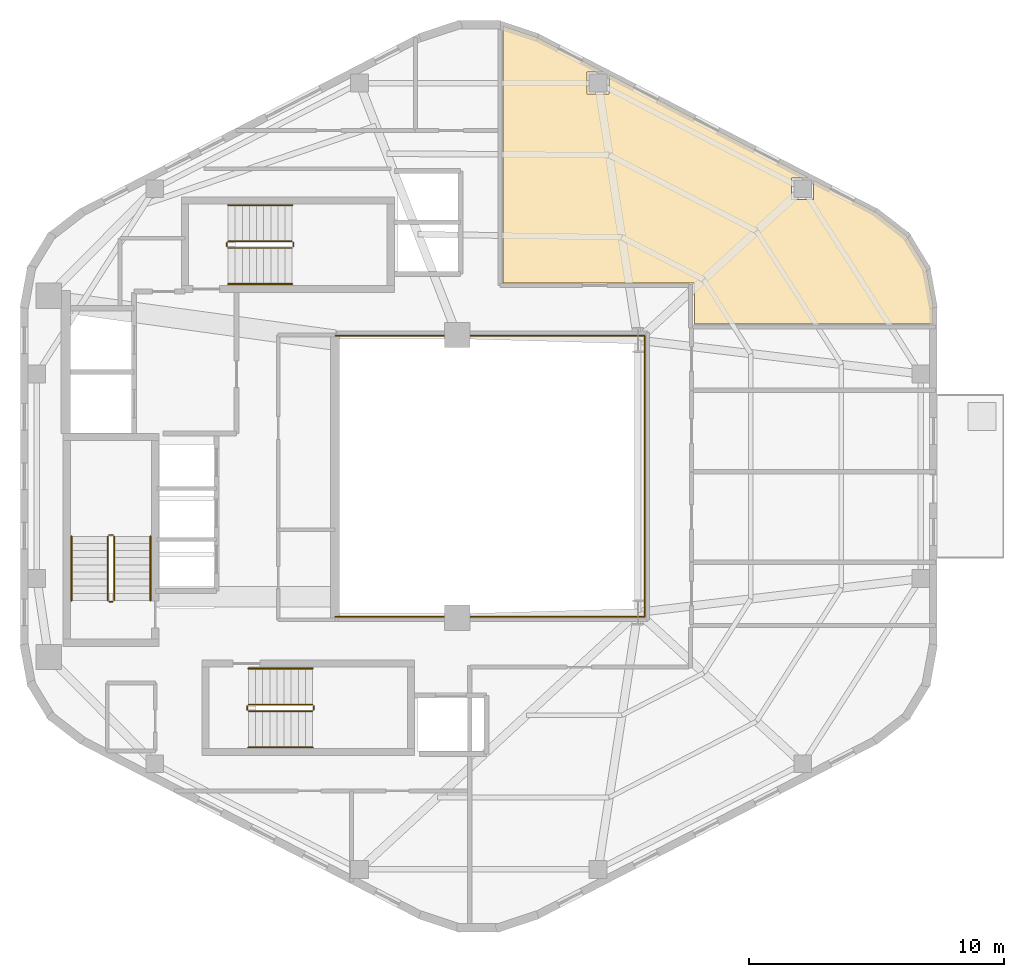
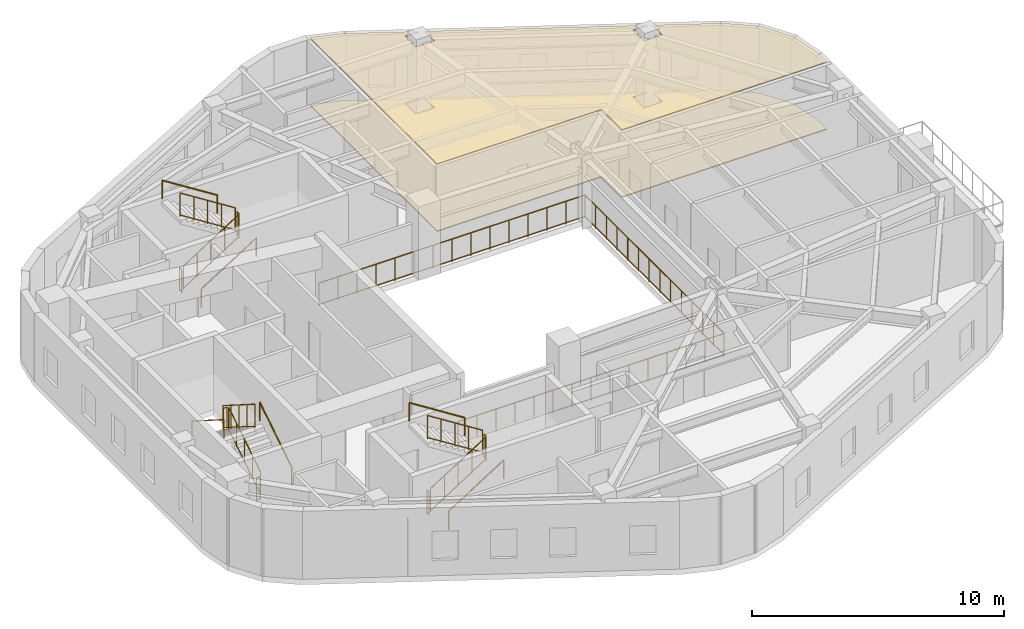
# One storey, part 6 of 7: 19 railings, 2 coverings.
"""IFC4 building model written with IfcOpenShell, lengths in metres."""

from ifc_helpers import new_model, si_unit, direction, frame, origin, origin_2d, place, context, subcontext, project, spatial, polyline, circle, outline, extrude, material, layer, layer_set, type_object, element, save


model = new_model("IFC4")

# Units and contexts
model_context = context("Model", 3, precision=1e-05, world=origin(), true_north=direction((0.0, 1.0)))
body_context = subcontext(model_context, "Body", "Model", "MODEL_VIEW")
ifc_project = project(units=[si_unit("LENGTHUNIT", "METRE"), si_unit("AREAUNIT", "SQUARE_METRE"), si_unit("VOLUMEUNIT", "CUBIC_METRE"), si_unit("PLANEANGLEUNIT", "RADIAN"), si_unit("MASSUNIT", "GRAM", prefix="KILO"), si_unit("THERMODYNAMICTEMPERATUREUNIT", "KELVIN"), si_unit("POWERUNIT", "WATT")], contexts=[model_context])

# Site, building, storey
site_placement = place(None, origin())
site = spatial("IfcSite", under=ifc_project, at=site_placement, CompositionType="ELEMENT")
building_placement = place(site_placement, origin())
building = spatial("IfcBuilding", under=site, at=building_placement, Name="Skarre Station Tower", CompositionType="ELEMENT")
storey_placement = place(building_placement, frame((0.0, 0.0, 256.10009765625)))
storey = spatial("IfcBuildingStorey", under=building, at=storey_placement, Name="L70", CompositionType="ELEMENT", Elevation=256.10009765625)

# Railing
ifc_material_1 = material(Name="Bronze Anodized Steel & Laminated Glass Balustrade", Category="steel")
railing_type_1 = type_object("IfcRailingType", Name="Atrium Void & Mezzanine Guard Balustrade 1120", PredefinedType="GUARDRAIL", material=ifc_material_1)
railing_1_placement = place(storey_placement, frame((27.550048828125, 18.47998046875, 0.0)))
element("IfcRailing", 1, at=railing_1_placement, inside=storey, type_object=railing_type_1, Name="L70 Atrium Void Guard Balustrade", PredefinedType="GUARDRAIL", context=body_context, shape_type="SweptSolid", body=[
    extrude(circle(Radius=0.02392578125, at=origin_2d()), frame((0.0, 0.0, 1.09619140625), z_axis=(1.0, 0.0, 0.0), x_axis=(0.0, 1.0, 0.0)), (0.0, 0.0, 1.0), 12.169921875),
    extrude(circle(Radius=0.02099609375, at=origin_2d()), frame((0.0, 0.0, 0.06005859375), z_axis=(1.0, 0.0, 0.0), x_axis=(0.0, 1.0, 0.0)), (0.0, 0.0, 1.0), 12.169921875),
    extrude(circle(Radius=0.02392578125, at=origin_2d()), frame((12.169921875, 0.0, 1.09619140625), z_axis=(0.0, 1.0, 0.0), x_axis=(-1.0, 0.0, 0.0)), (0.0, 0.0, 1.0), 11.0400390625),
    extrude(circle(Radius=0.02099609375, at=origin_2d()), frame((12.169921875, 0.0, 0.06005859375), z_axis=(0.0, 1.0, 0.0), x_axis=(-1.0, 0.0, 0.0)), (0.0, 0.0, 1.0), 11.0400390625),
    extrude(circle(Radius=0.02392578125, at=origin_2d()), frame((12.169921875, 11.0400390625, 1.09619140625), z_axis=(-1.0, 0.0, 0.0), x_axis=(0.0, -1.0, 0.0)), (0.0, 0.0, 1.0), 12.169921875),
    extrude(circle(Radius=0.02099609375, at=origin_2d()), frame((12.169921875, 11.0400390625, 0.06005859375), z_axis=(-1.0, 0.0, 0.0), x_axis=(0.0, -1.0, 0.0)), (0.0, 0.0, 1.0), 12.169921875),
    extrude(circle(Radius=0.02099609375, at=origin_2d()), origin(), (0.0, 0.0, 1.0), 1.072021484375),
    extrude(circle(Radius=0.02099609375, at=origin_2d()), frame((0.869384765625, 0.0, 0.0)), (0.0, 0.0, 1.0), 1.072021484375),
    extrude(circle(Radius=0.02099609375, at=origin_2d()), frame((1.738525390625, 0.0, 0.0)), (0.0, 0.0, 1.0), 1.072021484375),
    extrude(circle(Radius=0.02099609375, at=origin_2d()), frame((2.60791015625, 0.0, 0.0)), (0.0, 0.0, 1.0), 1.072021484375),
    extrude(circle(Radius=0.02099609375, at=origin_2d()), frame((3.47705078125, 0.0, 0.0)), (0.0, 0.0, 1.0), 1.072021484375),
    extrude(circle(Radius=0.02099609375, at=origin_2d()), frame((4.346435546875, 0.0, 0.0)), (0.0, 0.0, 1.0), 1.072021484375),
    extrude(circle(Radius=0.02099609375, at=origin_2d()), frame((5.215576171875, 0.0, 0.0)), (0.0, 0.0, 1.0), 1.072021484375),
    extrude(circle(Radius=0.02099609375, at=origin_2d()), frame((6.0849609375, 0.0, 0.0)), (0.0, 0.0, 1.0), 1.072021484375),
    extrude(circle(Radius=0.02099609375, at=origin_2d()), frame((6.954345703125, 0.0, 0.0)), (0.0, 0.0, 1.0), 1.072021484375),
    extrude(circle(Radius=0.02099609375, at=origin_2d()), frame((7.823486328125, 0.0, 0.0)), (0.0, 0.0, 1.0), 1.072021484375),
    extrude(circle(Radius=0.02099609375, at=origin_2d()), frame((8.69287109375, 0.0, 0.0)), (0.0, 0.0, 1.0), 1.072021484375),
    extrude(circle(Radius=0.02099609375, at=origin_2d()), frame((9.56201171875, 0.0, 0.0)), (0.0, 0.0, 1.0), 1.072021484375),
    extrude(circle(Radius=0.02099609375, at=origin_2d()), frame((10.431396484375, 0.0, 0.0)), (0.0, 0.0, 1.0), 1.072021484375),
    extrude(circle(Radius=0.02099609375, at=origin_2d()), frame((11.300537109375, 0.0, 0.0)), (0.0, 0.0, 1.0), 1.072021484375),
    extrude(circle(Radius=0.02099609375, at=origin_2d()), frame((12.169921875, 0.0, 0.0)), (0.0, 0.0, 1.0), 1.072021484375),
    extrude(circle(Radius=0.02099609375, at=origin_2d()), frame((12.169921875, 0.84912109375, 0.0)), (0.0, 0.0, 1.0), 1.072021484375),
    extrude(circle(Radius=0.02099609375, at=origin_2d()), frame((12.169921875, 1.698486328125, 0.0)), (0.0, 0.0, 1.0), 1.072021484375),
    extrude(circle(Radius=0.02099609375, at=origin_2d()), frame((12.169921875, 2.547607421875, 0.0)), (0.0, 0.0, 1.0), 1.072021484375),
    extrude(circle(Radius=0.02099609375, at=origin_2d()), frame((12.169921875, 3.39697265625, 0.0)), (0.0, 0.0, 1.0), 1.072021484375),
    extrude(circle(Radius=0.02099609375, at=origin_2d()), frame((12.169921875, 4.24609375, 0.0)), (0.0, 0.0, 1.0), 1.072021484375),
    extrude(circle(Radius=0.02099609375, at=origin_2d()), frame((12.169921875, 5.095458984375, 0.0)), (0.0, 0.0, 1.0), 1.072021484375),
    extrude(circle(Radius=0.02099609375, at=origin_2d()), frame((12.169921875, 5.944580078125, 0.0)), (0.0, 0.0, 1.0), 1.072021484375),
    extrude(circle(Radius=0.02099609375, at=origin_2d()), frame((12.169921875, 6.7939453125, 0.0)), (0.0, 0.0, 1.0), 1.072021484375),
    extrude(circle(Radius=0.02099609375, at=origin_2d()), frame((12.169921875, 7.64306640625, 0.0)), (0.0, 0.0, 1.0), 1.072021484375),
    extrude(circle(Radius=0.02099609375, at=origin_2d()), frame((12.169921875, 8.492431640625, 0.0)), (0.0, 0.0, 1.0), 1.072021484375),
    extrude(circle(Radius=0.02099609375, at=origin_2d()), frame((12.169921875, 9.341552734375, 0.0)), (0.0, 0.0, 1.0), 1.072021484375),
    extrude(circle(Radius=0.02099609375, at=origin_2d()), frame((12.169921875, 10.19091796875, 0.0)), (0.0, 0.0, 1.0), 1.072021484375),
    extrude(circle(Radius=0.02099609375, at=origin_2d()), frame((12.169921875, 11.0400390625, 0.0)), (0.0, 0.0, 1.0), 1.072021484375),
    extrude(circle(Radius=0.02099609375, at=origin_2d()), frame((11.300537109375, 11.0400390625, 0.0)), (0.0, 0.0, 1.0), 1.072021484375),
    extrude(circle(Radius=0.02099609375, at=origin_2d()), frame((10.431396484375, 11.0400390625, 0.0)), (0.0, 0.0, 1.0), 1.072021484375),
    extrude(circle(Radius=0.02099609375, at=origin_2d()), frame((9.56201171875, 11.0400390625, 0.0)), (0.0, 0.0, 1.0), 1.072021484375),
    extrude(circle(Radius=0.02099609375, at=origin_2d()), frame((8.69287109375, 11.0400390625, 0.0)), (0.0, 0.0, 1.0), 1.072021484375),
    extrude(circle(Radius=0.02099609375, at=origin_2d()), frame((7.823486328125, 11.0400390625, 0.0)), (0.0, 0.0, 1.0), 1.072021484375),
    extrude(circle(Radius=0.02099609375, at=origin_2d()), frame((6.954345703125, 11.0400390625, 0.0)), (0.0, 0.0, 1.0), 1.072021484375),
    extrude(circle(Radius=0.02099609375, at=origin_2d()), frame((6.0849609375, 11.0400390625, 0.0)), (0.0, 0.0, 1.0), 1.072021484375),
    extrude(circle(Radius=0.02099609375, at=origin_2d()), frame((5.215576171875, 11.0400390625, 0.0)), (0.0, 0.0, 1.0), 1.072021484375),
    extrude(circle(Radius=0.02099609375, at=origin_2d()), frame((4.346435546875, 11.0400390625, 0.0)), (0.0, 0.0, 1.0), 1.072021484375),
    extrude(circle(Radius=0.02099609375, at=origin_2d()), frame((3.47705078125, 11.0400390625, 0.0)), (0.0, 0.0, 1.0), 1.072021484375),
    extrude(circle(Radius=0.02099609375, at=origin_2d()), frame((2.60791015625, 11.0400390625, 0.0)), (0.0, 0.0, 1.0), 1.072021484375),
    extrude(circle(Radius=0.02099609375, at=origin_2d()), frame((1.738525390625, 11.0400390625, 0.0)), (0.0, 0.0, 1.0), 1.072021484375),
    extrude(circle(Radius=0.02099609375, at=origin_2d()), frame((0.869384765625, 11.0400390625, 0.0)), (0.0, 0.0, 1.0), 1.072021484375),
    extrude(circle(Radius=0.02099609375, at=origin_2d()), frame((0.0, 11.0400390625, 0.0)), (0.0, 0.0, 1.0), 1.072021484375),
])

# Coverings
ifc_material_2 = material(Name="Honed Jura Limestone & Calcium-Sulfate Access Tile", Category="masonry")
ifc_layer_1 = layer(ifc_material_2, 0.050048828125, Name="Honed Jura Limestone & Calcium-Sulfate Access Tile")
ifc_layer_set_1 = layer_set([ifc_layer_1], Name="Honed Jura Limestone & Calcium-Sulfate Access Tile")
covering_type_1 = type_object("IfcCoveringType", Name="Honed Limestone & Raised Access Floor Finish 50", PredefinedType="FLOORING", material=ifc_layer_set_1)
covering_1_placement = place(storey_placement, origin())
element("IfcCovering", 2, at=covering_1_placement, inside=storey, type_object=covering_type_1, Name="L70 Limestone Access Flooring 1", PredefinedType="FLOORING", context=body_context, shape_type="SweptSolid", body=[
    extrude(outline(polyline([(41.679931640625, 31.528076171875), (41.679931640625, 31.52001953125), (41.679931640625, 29.97998046875), (51.052978515625, 29.97998046875), (51.052978515625, 30.68701171875), (50.781005859375, 32.1650390625), (50.007080078125, 33.43701171875), (48.819091796875, 34.35693359375), (46.35693359375, 35.626953125), (46.35693359375, 34.867919921875), (45.4970703125, 34.867919921875), (45.4970703125, 35.72802734375), (46.162109375, 35.72802734375), (38.319091796875, 39.777099609375), (38.319091796875, 39.01708984375), (37.458984375, 39.01708984375), (37.458984375, 39.876953125), (38.125, 39.876953125), (35.446044921875, 41.260009765625), (34.159912109375, 41.68408203125), (34.159912109375, 31.60009765625), (41.60009765625, 31.60009765625), (41.60791015625, 31.60009765625), (41.615966796875, 31.597900390625), (41.623046875, 31.596923828125), (41.631103515625, 31.593994140625), (41.637939453125, 31.591064453125), (41.64404296875, 31.5869140625), (41.65087890625, 31.58203125), (41.656982421875, 31.576904296875), (41.662109375, 31.571044921875), (41.6669921875, 31.56396484375), (41.6708984375, 31.55810546875), (41.674072265625, 31.551025390625), (41.677001953125, 31.54296875), (41.677978515625, 31.535888671875), (41.679931640625, 31.528076171875)])), origin(), (0.0, 0.0, 1.0), 0.0498046875),
])
ifc_material_3 = material(Name="Perforated Nordic Birch Veneer & Mineral Wool", Category="wood")
ifc_layer_2 = layer(ifc_material_3, 0.044921875, Name="Perforated Nordic Birch Veneer & Mineral Wool")
ifc_layer_set_2 = layer_set([ifc_layer_2], Name="Perforated Nordic Birch Veneer & Mineral Wool")
covering_type_2 = type_object("IfcCoveringType", Name="Nordic Birch Slatted Acoustic Suspended Ceiling 45", PredefinedType="CEILING", material=ifc_layer_set_2)
covering_2_placement = place(storey_placement, frame((0.0, 0.0, 3.244873046875)))
element("IfcCovering", 3, at=covering_2_placement, inside=storey, type_object=covering_type_2, Name="L70 Acoustic Birch Ceiling 1", PredefinedType="CEILING", context=body_context, shape_type="SweptSolid", body=[
    extrude(outline(polyline([(41.679931640625, 31.528076171875), (41.679931640625, 31.52001953125), (41.679931640625, 29.97998046875), (51.052978515625, 29.97998046875), (51.052978515625, 30.68701171875), (50.781005859375, 32.1650390625), (50.007080078125, 33.43701171875), (48.819091796875, 34.35693359375), (46.35693359375, 35.626953125), (46.35693359375, 34.867919921875), (45.4970703125, 34.867919921875), (45.4970703125, 35.72802734375), (46.162109375, 35.72802734375), (38.319091796875, 39.777099609375), (38.319091796875, 39.01708984375), (37.458984375, 39.01708984375), (37.458984375, 39.876953125), (38.125, 39.876953125), (35.446044921875, 41.260009765625), (34.159912109375, 41.68408203125), (34.159912109375, 31.60009765625), (41.60009765625, 31.60009765625), (41.60791015625, 31.60009765625), (41.615966796875, 31.597900390625), (41.623046875, 31.596923828125), (41.631103515625, 31.593994140625), (41.637939453125, 31.591064453125), (41.64404296875, 31.5869140625), (41.65087890625, 31.58203125), (41.656982421875, 31.576904296875), (41.662109375, 31.571044921875), (41.6669921875, 31.56396484375), (41.6708984375, 31.55810546875), (41.674072265625, 31.551025390625), (41.677001953125, 31.54296875), (41.677978515625, 31.535888671875), (41.679931640625, 31.528076171875)])), origin(), (0.0, 0.0, 1.0), 0.044921875),
])

# Railings
ifc_material_4 = material(Name="Powder-Coated Tubular Steel", Category="steel")
railing_type_2 = type_object("IfcRailingType", Name="Painted Steel Ramp & Stair Handrail 920", PredefinedType="HANDRAIL", material=ifc_material_4)
railing_2_placement = place(storey_placement, frame((20.300048828125, 19.1201171875, 0.177490234375)))
element("IfcRailing", 4, at=railing_2_placement, inside=storey, type_object=railing_type_2, Name="L70 ST-1 stair handrail 1", PredefinedType="HANDRAIL", context=body_context, shape_type="SweptSolid", body=[
    extrude(circle(Radius=0.02392578125, at=origin_2d()), frame((0.0, 0.0, 0.8759765625), z_axis=(0.0, 0.844583492756, 0.535423872987), x_axis=(-1.0, 0.0, 0.0)), (0.0, 0.0, 1.0), 2.9833984375),
    extrude(circle(Radius=0.02099609375, at=origin_2d()), origin(), (0.0, 0.0, 1.0), 0.851806640625),
    extrude(circle(Radius=0.02099609375, at=origin_2d()), frame((0.0, 2.519775390625, 1.597412109375)), (0.0, 0.0, 1.0), 0.851806640625),
])
railing_3_placement = place(storey_placement, frame((17.199951171875, 21.639892578125, 1.952392578125)))
element("IfcRailing", 5, at=railing_3_placement, inside=storey, type_object=railing_type_2, Name="L70 ST-1 stair handrail 2", PredefinedType="HANDRAIL", context=body_context, shape_type="SweptSolid", body=[
    extrude(circle(Radius=0.02392578125, at=origin_2d()), frame((0.0, 0.0, 0.8759765625), z_axis=(0.0, -0.844583492756, 0.535423872987), x_axis=(1.0, 0.0, 0.0)), (0.0, 0.0, 1.0), 2.9833984375),
    extrude(circle(Radius=0.02099609375, at=origin_2d()), origin(), (0.0, 0.0, 1.0), 0.851806640625),
    extrude(circle(Radius=0.02099609375, at=origin_2d()), frame((0.0, -2.519775390625, 1.597412109375)), (0.0, 0.0, 1.0), 0.851806640625),
])
railing_4_placement = place(storey_placement, frame((24.14990234375, 13.35009765625, 0.177490234375)))
element("IfcRailing", 6, at=railing_4_placement, inside=storey, type_object=railing_type_2, Name="L70 ST-2 stair handrail 1", PredefinedType="HANDRAIL", context=body_context, shape_type="SweptSolid", body=[
    extrude(circle(Radius=0.02392578125, at=origin_2d()), frame((0.0, 0.0, 0.8759765625), z_axis=(0.84460694969, 0.0, 0.535386869969), x_axis=(0.0, 1.0, 0.0)), (0.0, 0.0, 1.0), 2.983642578125),
    extrude(circle(Radius=0.02099609375, at=origin_2d()), origin(), (0.0, 0.0, 1.0), 0.851806640625),
    extrude(circle(Radius=0.02099609375, at=origin_2d()), frame((2.52001953125, 0.0, 1.597412109375)), (0.0, 0.0, 1.0), 0.851806640625),
])
railing_5_placement = place(storey_placement, frame((26.669921875, 16.449951171875, 1.952392578125)))
element("IfcRailing", 7, at=railing_5_placement, inside=storey, type_object=railing_type_2, Name="L70 ST-2 stair handrail 2", PredefinedType="HANDRAIL", context=body_context, shape_type="SweptSolid", body=[
    extrude(circle(Radius=0.02392578125, at=origin_2d()), frame((0.0, 0.0, 0.8759765625), z_axis=(-0.84460694969, 0.0, 0.535386869969), x_axis=(0.0, -1.0, 0.0)), (0.0, 0.0, 1.0), 2.983642578125),
    extrude(circle(Radius=0.02099609375, at=origin_2d()), origin(), (0.0, 0.0, 1.0), 0.851806640625),
    extrude(circle(Radius=0.02099609375, at=origin_2d()), frame((-2.52001953125, 0.0, 1.597412109375)), (0.0, 0.0, 1.0), 0.851806640625),
])
railing_6_placement = place(storey_placement, frame((23.35009765625, 31.550048828125, 0.177490234375)))
element("IfcRailing", 8, at=railing_6_placement, inside=storey, type_object=railing_type_2, Name="L70 ST-3 stair handrail 1", PredefinedType="HANDRAIL", context=body_context, shape_type="SweptSolid", body=[
    extrude(circle(Radius=0.02392578125, at=origin_2d()), frame((0.0, 0.0, 0.8759765625), z_axis=(0.84460694969, 0.0, 0.535386869969), x_axis=(0.0, 1.0, 0.0)), (0.0, 0.0, 1.0), 2.983642578125),
    extrude(circle(Radius=0.02099609375, at=origin_2d()), origin(), (0.0, 0.0, 1.0), 0.851806640625),
    extrude(circle(Radius=0.02099609375, at=origin_2d()), frame((2.52001953125, 0.0, 1.597412109375)), (0.0, 0.0, 1.0), 0.851806640625),
])
railing_7_placement = place(storey_placement, frame((25.8701171875, 34.64990234375, 1.952392578125)))
element("IfcRailing", 9, at=railing_7_placement, inside=storey, type_object=railing_type_2, Name="L70 ST-3 stair handrail 2", PredefinedType="HANDRAIL", context=body_context, shape_type="SweptSolid", body=[
    extrude(circle(Radius=0.02392578125, at=origin_2d()), frame((0.0, 0.0, 0.8759765625), z_axis=(-0.84460694969, 0.0, 0.535386869969), x_axis=(0.0, -1.0, 0.0)), (0.0, 0.0, 1.0), 2.983642578125),
    extrude(circle(Radius=0.02099609375, at=origin_2d()), origin(), (0.0, 0.0, 1.0), 0.851806640625),
    extrude(circle(Radius=0.02099609375, at=origin_2d()), frame((-2.52001953125, 0.0, 1.597412109375)), (0.0, 0.0, 1.0), 0.851806640625),
])
railing_type_3 = type_object("IfcRailingType", Name="Painted Steel Stairwell Guardrail 1100", PredefinedType="GUARDRAIL", material=ifc_material_4)
railing_8_placement = place(storey_placement, frame((18.8798828125, 19.1201171875, 0.177490234375)))
element("IfcRailing", 10, at=railing_8_placement, inside=storey, type_object=railing_type_3, Name="L70 ST-1 stair guard 1", PredefinedType="GUARDRAIL", context=body_context, shape_type="SweptSolid", body=[
    extrude(circle(Radius=0.02392578125, at=origin_2d()), frame((0.0, 0.0, 1.1259765625), z_axis=(0.0, 0.844583492756, 0.535423872987), x_axis=(-1.0, 0.0, 0.0)), (0.0, 0.0, 1.0), 2.9833984375),
    extrude(circle(Radius=0.02099609375, at=origin_2d()), frame((0.0, 0.0, 0.06005859375), z_axis=(0.0, 0.844583492756, 0.535423872987), x_axis=(-1.0, 0.0, 0.0)), (0.0, 0.0, 1.0), 2.9833984375),
    extrude(circle(Radius=0.02099609375, at=origin_2d()), origin(), (0.0, 0.0, 1.0), 1.101806640625),
    extrude(circle(Radius=0.02099609375, at=origin_2d()), frame((0.0, 0.6298828125, 0.3994140625)), (0.0, 0.0, 1.0), 1.101806640625),
    extrude(circle(Radius=0.02099609375, at=origin_2d()), frame((0.0, 1.259765625, 0.798828125)), (0.0, 0.0, 1.0), 1.101806640625),
    extrude(circle(Radius=0.02099609375, at=origin_2d()), frame((0.0, 1.889892578125, 1.197998046875)), (0.0, 0.0, 1.0), 1.101806640625),
    extrude(circle(Radius=0.02099609375, at=origin_2d()), frame((0.0, 2.519775390625, 1.597412109375)), (0.0, 0.0, 1.0), 1.101806640625),
])
railing_9_placement = place(storey_placement, frame((18.830078125, 21.68994140625, 1.77490234375)))
element("IfcRailing", 11, at=railing_9_placement, inside=storey, type_object=railing_type_3, Name="L70 ST-1 stair guard 2", PredefinedType="GUARDRAIL", context=body_context, shape_type="SweptSolid", body=[
    extrude(circle(Radius=0.02392578125, at=origin_2d()), frame((0.0, 0.0, 1.1259765625), z_axis=(-1.0, 0.0, 0.0), x_axis=(0.0, -1.0, 0.0)), (0.0, 0.0, 1.0), 0.16015625),
    extrude(circle(Radius=0.02099609375, at=origin_2d()), frame((0.0, 0.0, 0.06005859375), z_axis=(-1.0, 0.0, 0.0), x_axis=(0.0, -1.0, 0.0)), (0.0, 0.0, 1.0), 0.16015625),
    extrude(circle(Radius=0.02099609375, at=origin_2d()), origin(), (0.0, 0.0, 1.0), 1.101806640625),
    extrude(circle(Radius=0.02099609375, at=origin_2d()), frame((-0.16015625, 0.0, 0.0)), (0.0, 0.0, 1.0), 1.101806640625),
])
railing_10_placement = place(storey_placement, frame((18.6201171875, 21.639892578125, 1.952392578125)))
element("IfcRailing", 12, at=railing_10_placement, inside=storey, type_object=railing_type_3, Name="L70 ST-1 stair guard 3", PredefinedType="GUARDRAIL", context=body_context, shape_type="SweptSolid", body=[
    extrude(circle(Radius=0.02392578125, at=origin_2d()), frame((0.0, 0.0, 1.1259765625), z_axis=(0.0, -0.844583492756, 0.535423872987), x_axis=(1.0, 0.0, 0.0)), (0.0, 0.0, 1.0), 2.9833984375),
    extrude(circle(Radius=0.02099609375, at=origin_2d()), frame((0.0, 0.0, 0.06005859375), z_axis=(0.0, -0.844583492756, 0.535423872987), x_axis=(1.0, 0.0, 0.0)), (0.0, 0.0, 1.0), 2.9833984375),
    extrude(circle(Radius=0.02099609375, at=origin_2d()), origin(), (0.0, 0.0, 1.0), 1.101806640625),
    extrude(circle(Radius=0.02099609375, at=origin_2d()), frame((0.0, -0.6298828125, 0.3994140625)), (0.0, 0.0, 1.0), 1.101806640625),
    extrude(circle(Radius=0.02099609375, at=origin_2d()), frame((0.0, -1.259765625, 0.798828125)), (0.0, 0.0, 1.0), 1.101806640625),
    extrude(circle(Radius=0.02099609375, at=origin_2d()), frame((0.0, -1.889892578125, 1.197998046875)), (0.0, 0.0, 1.0), 1.101806640625),
    extrude(circle(Radius=0.02099609375, at=origin_2d()), frame((0.0, -2.519775390625, 1.597412109375)), (0.0, 0.0, 1.0), 1.101806640625),
])
railing_11_placement = place(storey_placement, frame((18.830078125, 19.070068359375, 0.0)))
element("IfcRailing", 13, at=railing_11_placement, inside=storey, type_object=railing_type_3, Name="L70 ST-1 stair guard 4", PredefinedType="GUARDRAIL", context=body_context, shape_type="SweptSolid", body=[
    extrude(circle(Radius=0.02392578125, at=origin_2d()), frame((0.0, 0.0, 1.1259765625), z_axis=(-1.0, 0.0, 0.0), x_axis=(0.0, -1.0, 0.0)), (0.0, 0.0, 1.0), 0.16015625),
    extrude(circle(Radius=0.02099609375, at=origin_2d()), frame((0.0, 0.0, 0.06005859375), z_axis=(-1.0, 0.0, 0.0), x_axis=(0.0, -1.0, 0.0)), (0.0, 0.0, 1.0), 0.16015625),
    extrude(circle(Radius=0.02099609375, at=origin_2d()), origin(), (0.0, 0.0, 1.0), 1.101806640625),
    extrude(circle(Radius=0.02099609375, at=origin_2d()), frame((-0.16015625, 0.0, 0.0)), (0.0, 0.0, 1.0), 1.101806640625),
])
railing_12_placement = place(storey_placement, frame((24.14990234375, 14.77001953125, 0.177490234375)))
element("IfcRailing", 14, at=railing_12_placement, inside=storey, type_object=railing_type_3, Name="L70 ST-2 stair guard 1", PredefinedType="GUARDRAIL", context=body_context, shape_type="SweptSolid", body=[
    extrude(circle(Radius=0.02392578125, at=origin_2d()), frame((0.0, 0.0, 1.1259765625), z_axis=(0.84460694969, 0.0, 0.535386869969), x_axis=(0.0, 1.0, 0.0)), (0.0, 0.0, 1.0), 2.983642578125),
    extrude(circle(Radius=0.02099609375, at=origin_2d()), frame((0.0, 0.0, 0.06005859375), z_axis=(0.84460694969, 0.0, 0.535386869969), x_axis=(0.0, 1.0, 0.0)), (0.0, 0.0, 1.0), 2.983642578125),
    extrude(circle(Radius=0.02099609375, at=origin_2d()), origin(), (0.0, 0.0, 1.0), 1.101806640625),
    extrude(circle(Radius=0.02099609375, at=origin_2d()), frame((0.6298828125, 0.0, 0.3994140625)), (0.0, 0.0, 1.0), 1.101806640625),
    extrude(circle(Radius=0.02099609375, at=origin_2d()), frame((1.260009765625, 0.0, 0.798828125)), (0.0, 0.0, 1.0), 1.101806640625),
    extrude(circle(Radius=0.02099609375, at=origin_2d()), frame((1.89013671875, 0.0, 1.197998046875)), (0.0, 0.0, 1.0), 1.101806640625),
    extrude(circle(Radius=0.02099609375, at=origin_2d()), frame((2.52001953125, 0.0, 1.597412109375)), (0.0, 0.0, 1.0), 1.101806640625),
])
railing_13_placement = place(storey_placement, frame((26.719970703125, 14.820068359375, 1.77490234375)))
element("IfcRailing", 15, at=railing_13_placement, inside=storey, type_object=railing_type_3, Name="L70 ST-2 stair guard 2", PredefinedType="GUARDRAIL", context=body_context, shape_type="SweptSolid", body=[
    extrude(circle(Radius=0.02392578125, at=origin_2d()), frame((0.0, 0.0, 1.1259765625), z_axis=(0.0, 1.0, 0.0), x_axis=(-1.0, 0.0, 0.0)), (0.0, 0.0, 1.0), 0.159912109375),
    extrude(circle(Radius=0.02099609375, at=origin_2d()), frame((0.0, 0.0, 0.06005859375), z_axis=(0.0, 1.0, 0.0), x_axis=(-1.0, 0.0, 0.0)), (0.0, 0.0, 1.0), 0.159912109375),
    extrude(circle(Radius=0.02099609375, at=origin_2d()), origin(), (0.0, 0.0, 1.0), 1.101806640625),
    extrude(circle(Radius=0.02099609375, at=origin_2d()), frame((0.0, 0.159912109375, 0.0)), (0.0, 0.0, 1.0), 1.101806640625),
])
railing_14_placement = place(storey_placement, frame((26.669921875, 15.030029296875, 1.952392578125)))
element("IfcRailing", 16, at=railing_14_placement, inside=storey, type_object=railing_type_3, Name="L70 ST-2 stair guard 3", PredefinedType="GUARDRAIL", context=body_context, shape_type="SweptSolid", body=[
    extrude(circle(Radius=0.02392578125, at=origin_2d()), frame((0.0, 0.0, 1.1259765625), z_axis=(-0.84460694969, 0.0, 0.535386869969), x_axis=(0.0, -1.0, 0.0)), (0.0, 0.0, 1.0), 2.983642578125),
    extrude(circle(Radius=0.02099609375, at=origin_2d()), frame((0.0, 0.0, 0.06005859375), z_axis=(-0.84460694969, 0.0, 0.535386869969), x_axis=(0.0, -1.0, 0.0)), (0.0, 0.0, 1.0), 2.983642578125),
    extrude(circle(Radius=0.02099609375, at=origin_2d()), origin(), (0.0, 0.0, 1.0), 1.101806640625),
    extrude(circle(Radius=0.02099609375, at=origin_2d()), frame((-0.6298828125, 0.0, 0.3994140625)), (0.0, 0.0, 1.0), 1.101806640625),
    extrude(circle(Radius=0.02099609375, at=origin_2d()), frame((-1.260009765625, 0.0, 0.798828125)), (0.0, 0.0, 1.0), 1.101806640625),
    extrude(circle(Radius=0.02099609375, at=origin_2d()), frame((-1.89013671875, 0.0, 1.197998046875)), (0.0, 0.0, 1.0), 1.101806640625),
    extrude(circle(Radius=0.02099609375, at=origin_2d()), frame((-2.52001953125, 0.0, 1.597412109375)), (0.0, 0.0, 1.0), 1.101806640625),
])
railing_15_placement = place(storey_placement, frame((24.10009765625, 14.820068359375, 0.0)))
element("IfcRailing", 17, at=railing_15_placement, inside=storey, type_object=railing_type_3, Name="L70 ST-2 stair guard 4", PredefinedType="GUARDRAIL", context=body_context, shape_type="SweptSolid", body=[
    extrude(circle(Radius=0.02392578125, at=origin_2d()), frame((0.0, 0.0, 1.1259765625), z_axis=(0.0, 1.0, 0.0), x_axis=(-1.0, 0.0, 0.0)), (0.0, 0.0, 1.0), 0.159912109375),
    extrude(circle(Radius=0.02099609375, at=origin_2d()), frame((0.0, 0.0, 0.06005859375), z_axis=(0.0, 1.0, 0.0), x_axis=(-1.0, 0.0, 0.0)), (0.0, 0.0, 1.0), 0.159912109375),
    extrude(circle(Radius=0.02099609375, at=origin_2d()), origin(), (0.0, 0.0, 1.0), 1.101806640625),
    extrude(circle(Radius=0.02099609375, at=origin_2d()), frame((0.0, 0.159912109375, 0.0)), (0.0, 0.0, 1.0), 1.101806640625),
])
railing_16_placement = place(storey_placement, frame((23.35009765625, 32.969970703125, 0.177490234375)))
element("IfcRailing", 18, at=railing_16_placement, inside=storey, type_object=railing_type_3, Name="L70 ST-3 stair guard 1", PredefinedType="GUARDRAIL", context=body_context, shape_type="SweptSolid", body=[
    extrude(circle(Radius=0.02392578125, at=origin_2d()), frame((0.0, 0.0, 1.1259765625), z_axis=(0.84460694969, 0.0, 0.535386869969), x_axis=(0.0, 1.0, 0.0)), (0.0, 0.0, 1.0), 2.983642578125),
    extrude(circle(Radius=0.02099609375, at=origin_2d()), frame((0.0, 0.0, 0.06005859375), z_axis=(0.84460694969, 0.0, 0.535386869969), x_axis=(0.0, 1.0, 0.0)), (0.0, 0.0, 1.0), 2.983642578125),
    extrude(circle(Radius=0.02099609375, at=origin_2d()), origin(), (0.0, 0.0, 1.0), 1.101806640625),
    extrude(circle(Radius=0.02099609375, at=origin_2d()), frame((0.6298828125, 0.0, 0.3994140625)), (0.0, 0.0, 1.0), 1.101806640625),
    extrude(circle(Radius=0.02099609375, at=origin_2d()), frame((1.260009765625, 0.0, 0.798828125)), (0.0, 0.0, 1.0), 1.101806640625),
    extrude(circle(Radius=0.02099609375, at=origin_2d()), frame((1.89013671875, 0.0, 1.197998046875)), (0.0, 0.0, 1.0), 1.101806640625),
    extrude(circle(Radius=0.02099609375, at=origin_2d()), frame((2.52001953125, 0.0, 1.597412109375)), (0.0, 0.0, 1.0), 1.101806640625),
])
railing_17_placement = place(storey_placement, frame((25.919921875, 33.02001953125, 1.77490234375)))
element("IfcRailing", 19, at=railing_17_placement, inside=storey, type_object=railing_type_3, Name="L70 ST-3 stair guard 2", PredefinedType="GUARDRAIL", context=body_context, shape_type="SweptSolid", body=[
    extrude(circle(Radius=0.02392578125, at=origin_2d()), frame((0.0, 0.0, 1.1259765625), z_axis=(0.0, 1.0, 0.0), x_axis=(-1.0, 0.0, 0.0)), (0.0, 0.0, 1.0), 0.159912109375),
    extrude(circle(Radius=0.02099609375, at=origin_2d()), frame((0.0, 0.0, 0.06005859375), z_axis=(0.0, 1.0, 0.0), x_axis=(-1.0, 0.0, 0.0)), (0.0, 0.0, 1.0), 0.159912109375),
    extrude(circle(Radius=0.02099609375, at=origin_2d()), origin(), (0.0, 0.0, 1.0), 1.101806640625),
    extrude(circle(Radius=0.02099609375, at=origin_2d()), frame((0.0, 0.159912109375, 0.0)), (0.0, 0.0, 1.0), 1.101806640625),
])
railing_18_placement = place(storey_placement, frame((25.8701171875, 33.22998046875, 1.952392578125)))
element("IfcRailing", 20, at=railing_18_placement, inside=storey, type_object=railing_type_3, Name="L70 ST-3 stair guard 3", PredefinedType="GUARDRAIL", context=body_context, shape_type="SweptSolid", body=[
    extrude(circle(Radius=0.02392578125, at=origin_2d()), frame((0.0, 0.0, 1.1259765625), z_axis=(-0.84460694969, 0.0, 0.535386869969), x_axis=(0.0, -1.0, 0.0)), (0.0, 0.0, 1.0), 2.983642578125),
    extrude(circle(Radius=0.02099609375, at=origin_2d()), frame((0.0, 0.0, 0.06005859375), z_axis=(-0.84460694969, 0.0, 0.535386869969), x_axis=(0.0, -1.0, 0.0)), (0.0, 0.0, 1.0), 2.983642578125),
    extrude(circle(Radius=0.02099609375, at=origin_2d()), origin(), (0.0, 0.0, 1.0), 1.101806640625),
    extrude(circle(Radius=0.02099609375, at=origin_2d()), frame((-0.6298828125, 0.0, 0.3994140625)), (0.0, 0.0, 1.0), 1.101806640625),
    extrude(circle(Radius=0.02099609375, at=origin_2d()), frame((-1.260009765625, 0.0, 0.798828125)), (0.0, 0.0, 1.0), 1.101806640625),
    extrude(circle(Radius=0.02099609375, at=origin_2d()), frame((-1.89013671875, 0.0, 1.197998046875)), (0.0, 0.0, 1.0), 1.101806640625),
    extrude(circle(Radius=0.02099609375, at=origin_2d()), frame((-2.52001953125, 0.0, 1.597412109375)), (0.0, 0.0, 1.0), 1.101806640625),
])
railing_19_placement = place(storey_placement, frame((23.300048828125, 33.02001953125, 0.0)))
element("IfcRailing", 21, at=railing_19_placement, inside=storey, type_object=railing_type_3, Name="L70 ST-3 stair guard 4", PredefinedType="GUARDRAIL", context=body_context, shape_type="SweptSolid", body=[
    extrude(circle(Radius=0.02392578125, at=origin_2d()), frame((0.0, 0.0, 1.1259765625), z_axis=(0.0, 1.0, 0.0), x_axis=(-1.0, 0.0, 0.0)), (0.0, 0.0, 1.0), 0.159912109375),
    extrude(circle(Radius=0.02099609375, at=origin_2d()), frame((0.0, 0.0, 0.06005859375), z_axis=(0.0, 1.0, 0.0), x_axis=(-1.0, 0.0, 0.0)), (0.0, 0.0, 1.0), 0.159912109375),
    extrude(circle(Radius=0.02099609375, at=origin_2d()), origin(), (0.0, 0.0, 1.0), 1.101806640625),
    extrude(circle(Radius=0.02099609375, at=origin_2d()), frame((0.0, 0.159912109375, 0.0)), (0.0, 0.0, 1.0), 1.101806640625),
])

save(model, "model.ifc")
